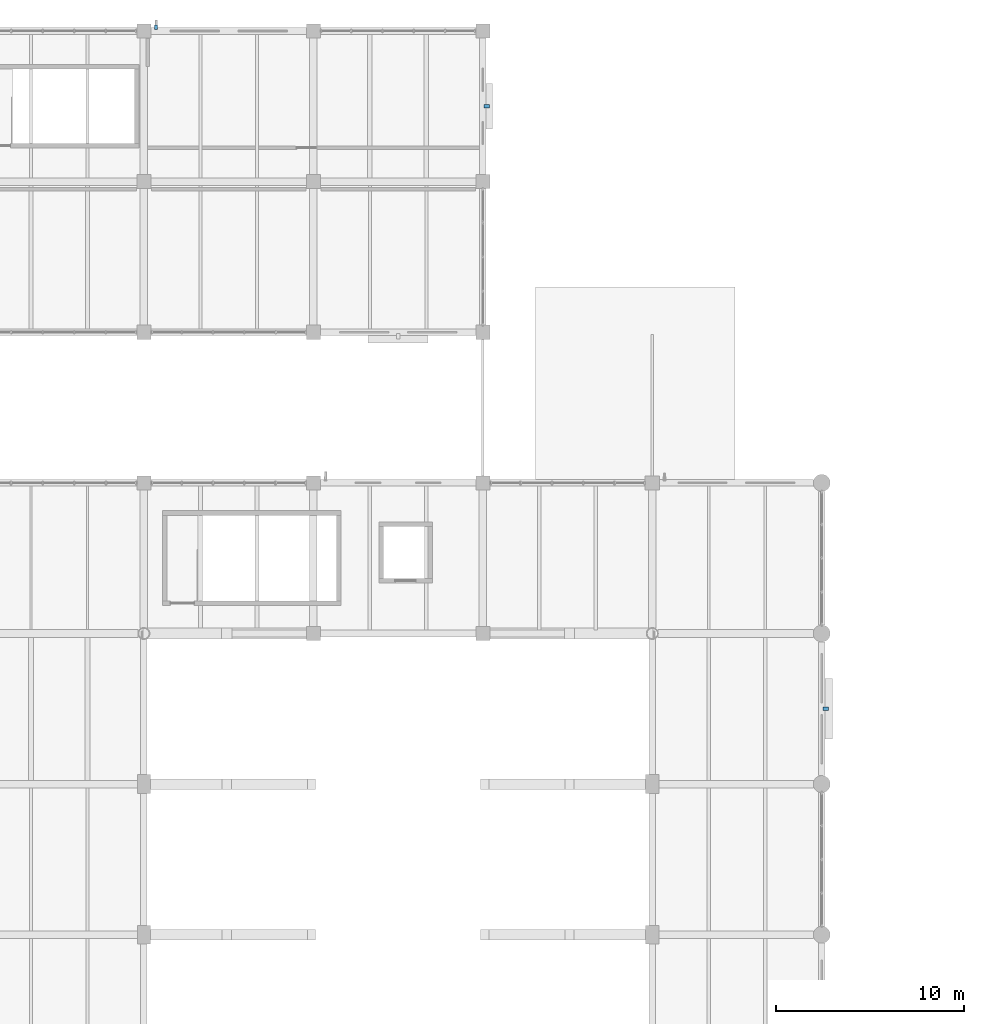
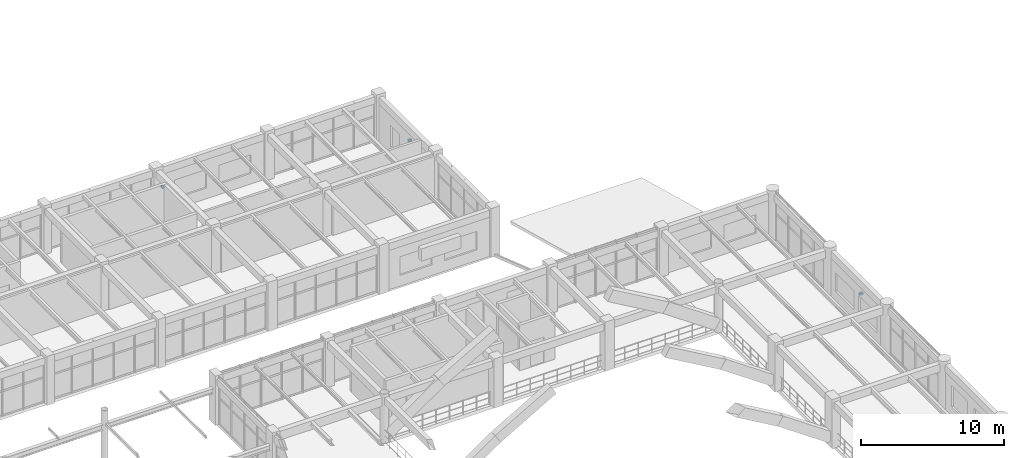
# One storey, part 135 of 148: 3 discrete accessories.
"""IFC4 building model written with IfcOpenShell, lengths in metres."""

from ifc_helpers import new_model, si_unit, derived_unit, direction, frame, origin, origin_2d, place, context, subcontext, project, spatial, rectangle, extrude, material, type_object, element, save


model = new_model("IFC4")

# Units and contexts
model_context = context("Model", 3, precision=1e-05, world=origin(), true_north=direction((0.0, 1.0)))
body_context = subcontext(model_context, "Body", "Model", "MODEL_VIEW")
ifc_project = project(units=[si_unit("LENGTHUNIT", "METRE"), si_unit("AREAUNIT", "SQUARE_METRE"), si_unit("VOLUMEUNIT", "CUBIC_METRE"), si_unit("PLANEANGLEUNIT", "RADIAN"), si_unit("MASSUNIT", "GRAM", prefix="KILO"), derived_unit("THERMALTRANSMITTANCEUNIT", [(si_unit("MASSUNIT", "GRAM", prefix="KILO"), 1), (si_unit("TIMEUNIT", "SECOND"), -3), (si_unit("THERMODYNAMICTEMPERATUREUNIT", "KELVIN"), -1)])], contexts=[model_context])

# Site, building, storey
site_placement = place(None, origin())
site = spatial("IfcSite", under=ifc_project, at=site_placement, CompositionType="ELEMENT")
building_placement = place(site_placement, origin())
building = spatial("IfcBuilding", under=site, at=building_placement, Name="Zhenchuan Archway Interchange", CompositionType="ELEMENT")
storey_placement = place(building_placement, frame((0.0, 0.0, 10.199951171875)))
storey = spatial("IfcBuildingStorey", under=building, at=storey_placement, Name="L02", CompositionType="ELEMENT", Elevation=10.199951171875)

# Discrete accessories
ifc_material = material(Name="Stainless Steel 316", Category="steel")
discrete_accessory_type_1 = type_object("IfcDiscreteAccessoryType", Name="BRK_SHD_1", PredefinedType="BRACKET", material=ifc_material)
discrete_accessory_placement = place(storey_placement, frame((36.653076171875, 112.2099609375, 1.8798828125), z_axis=(0.0, 0.0, 1.0), x_axis=(1.0, 0.0, 0.0)))
element("IfcDiscreteAccessory", 1, at=discrete_accessory_placement, inside=storey, type_object=discrete_accessory_type_1, Name="Solar fin stainless fixing bracket L02-078", PredefinedType="BRACKET", context=body_context, shape_type="SweptSolid", body=[
    extrude(rectangle(XDim=0.159912109375, YDim=0.239990234375, at=origin_2d()), origin(), (0.0, 0.0, 1.0), 0.159912109375),
])
discrete_accessory_type_2 = type_object("IfcDiscreteAccessoryType", Name="BRK_SHD_2", PredefinedType="BRACKET", material=ifc_material)
for number, where, z_axis, x_axis, name in (
    (2, (72.2099609375, 76.0, 2.26025390625), (0.0, 0.0, 1.0), (0.0, -1.0, 0.0), "Storm-louvre stainless fixing bracket L02-071"),
    (3, (54.2099609375, 108.0, 2.26025390625), (0.0, 0.0, 1.0), (0.0, -1.0, 0.0), "Storm-louvre stainless fixing bracket L02-079"),
):
    element("IfcDiscreteAccessory", number, at=place(storey_placement, frame(where, z_axis=z_axis, x_axis=x_axis)), inside=storey, type_object=discrete_accessory_type_2, Name=name, PredefinedType="BRACKET", context=body_context, shape_type="SweptSolid", body=[
        extrude(rectangle(XDim=0.179931640625, YDim=0.280029296875, at=origin_2d()), origin(), (0.0, 0.0, 1.0), 0.179931640625),
    ])

save(model, "model.ifc")
